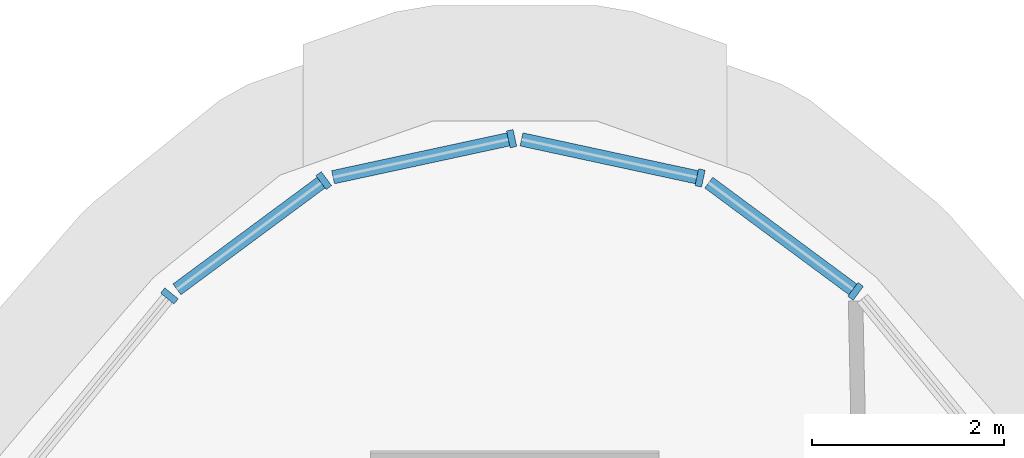
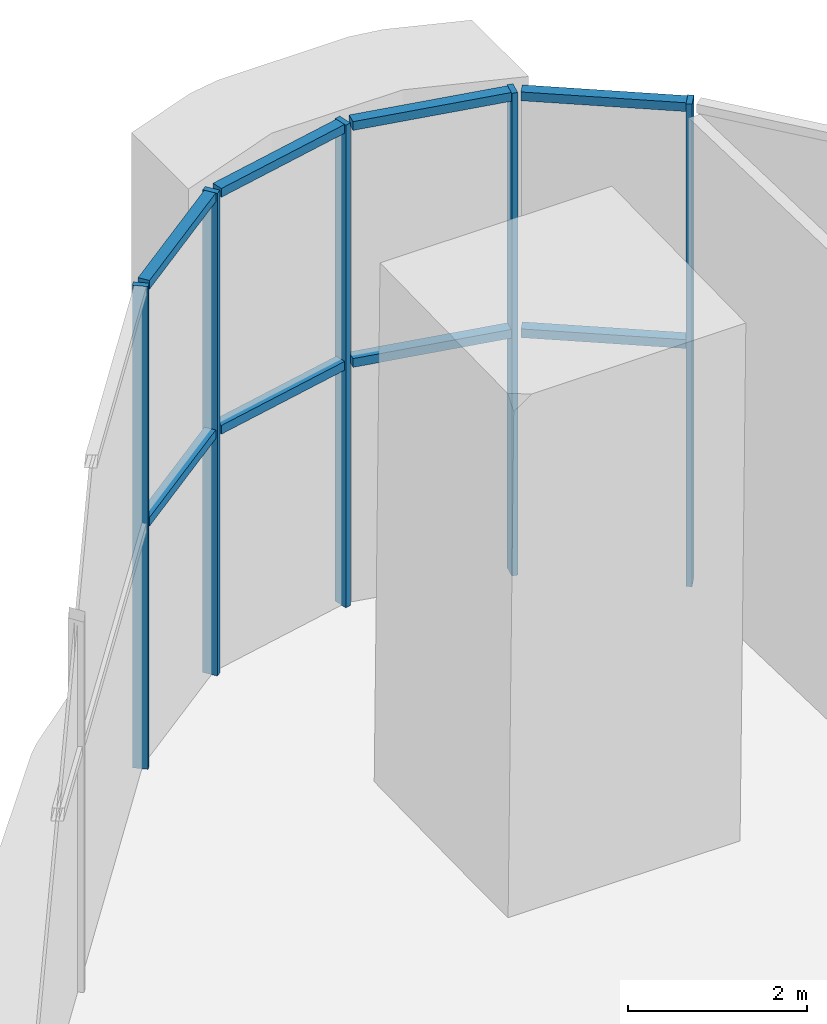
# One storey, part 10 of 23: 13 members, 5 elements without a shape of their own.
"""IFC4 building model written with IfcOpenShell, lengths in metres."""

from ifc_helpers import new_model, si_unit, direction, frame, origin, origin_2d, place, context, subcontext, project, spatial, rectangle, extrude, material, layer, layer_set, material_profile, profile_set, type_object, element, aggregate, save


model = new_model("IFC4")

# Units and contexts
model_context = context("Model", 3, precision=1e-05, world=origin(), true_north=direction((0.0, 1.0)))
body_context = subcontext(model_context, "Body", "Model", "MODEL_VIEW")
ifc_project = project(units=[si_unit("LENGTHUNIT", "METRE"), si_unit("AREAUNIT", "SQUARE_METRE"), si_unit("VOLUMEUNIT", "CUBIC_METRE"), si_unit("PLANEANGLEUNIT", "RADIAN"), si_unit("MASSUNIT", "GRAM", prefix="KILO")], contexts=[model_context])

# Site, building, storey
site_placement = place(None, origin())
site = spatial("IfcSite", under=ifc_project, at=site_placement, CompositionType="ELEMENT")
building_placement = place(site_placement, origin())
building = spatial("IfcBuilding", under=site, at=building_placement, Name="Sierra Prisma Convention Tower", CompositionType="ELEMENT")
storey_placement = place(building_placement, frame((0.0, 0.0, 40.800048828125)))
storey = spatial("IfcBuildingStorey", under=building, at=storey_placement, Name="L06", CompositionType="ELEMENT", Elevation=40.800048828125)

# Curtain wall, member
ifc_material_1 = material(Name="Aluminium and glass curtain wall", Category="aluminium")
ifc_layer = layer(ifc_material_1, 0.179931640625)
ifc_layer_set = layer_set([ifc_layer], Name="CW-4 Sky lobby double-height curtain wall")
curtain_wall_type = type_object("IfcCurtainWallType", Name="CW-4 Sky lobby double-height curtain wall", PredefinedType="NOTDEFINED", material=ifc_layer_set)
curtain_wall_1_placement = place(storey_placement, origin())
curtain_wall_1 = element("IfcCurtainWall", 1, at=curtain_wall_1_placement, inside=storey, type_object=curtain_wall_type, Name="CW-4 N1 L06", PredefinedType="NOTDEFINED")
ifc_material_2 = material(Name="Aluminium 6063-T6 bronze anodised", Category="aluminium")
ifc_material_profile_1 = material_profile(ifc_material_2, rectangle(XDim=0.179931640625, YDim=0.070068359375, at=origin_2d()), Name="ALU MULLION 70x180")
ifc_profile_set_1 = profile_set([ifc_material_profile_1], Name="Aluminium 6063-T6 bronze anodised")
member_type_1 = type_object("IfcMemberType", Name="CW mullion bronze", PredefinedType="MULLION", material=ifc_profile_set_1)
member_1_placement = place(storey_placement, frame((3.540283203125, 34.742919921875, 0.0), z_axis=(0.0, 0.0, 1.0), x_axis=(-0.595163575476, -0.803604578401, 0.0)))
member_1 = element("IfcMember", 2, at=member_1_placement, type_object=member_type_1, Name="CW-4 mullion N1.1", PredefinedType="MULLION", context=body_context, shape_type="SweptSolid", body=[
    extrude(rectangle(XDim=0.179931640625, YDim=0.070068359375, at=origin_2d()), origin(), (0.0, 0.0, 1.0), 6.599853515625),
])

curtain_wall_2_placement = place(storey_placement, origin())
curtain_wall_2 = element("IfcCurtainWall", 3, at=curtain_wall_2_placement, inside=storey, type_object=curtain_wall_type, Name="CW-4 N2 L06", PredefinedType="NOTDEFINED")
member_2_placement = place(storey_placement, frame((1.92431640625, 35.921875, 0.0), z_axis=(0.0, 0.0, 1.0), x_axis=(-0.210894282696, -0.977508875421, 0.0)))
member_2 = element("IfcMember", 4, at=member_2_placement, type_object=member_type_1, Name="CW-4 mullion N2.1", PredefinedType="MULLION", context=body_context, shape_type="SweptSolid", body=[
    extrude(rectangle(XDim=0.179931640625, YDim=0.070068359375, at=origin_2d()), origin(), (0.0, 0.0, 1.0), 6.599853515625),
])

curtain_wall_3_placement = place(storey_placement, origin())
curtain_wall_3 = element("IfcCurtainWall", 5, at=curtain_wall_3_placement, inside=storey, type_object=curtain_wall_type, Name="CW-4 N3 L06", PredefinedType="NOTDEFINED")
member_3_placement = place(storey_placement, frame((-0.0341796875, 36.32958984375, 0.0), z_axis=(0.0, 0.0, 1.0), x_axis=(0.210894282696, -0.977508875421, 0.0)))
member_3 = element("IfcMember", 6, at=member_3_placement, type_object=member_type_1, Name="CW-4 mullion N3.1", PredefinedType="MULLION", context=body_context, shape_type="SweptSolid", body=[
    extrude(rectangle(XDim=0.179931640625, YDim=0.070068359375, at=origin_2d()), origin(), (0.0, 0.0, 1.0), 6.599853515625),
])

curtain_wall_4_placement = place(storey_placement, origin())
curtain_wall_4 = element("IfcCurtainWall", 7, at=curtain_wall_4_placement, inside=storey, type_object=curtain_wall_type, Name="CW-4 N4 L06", PredefinedType="NOTDEFINED")
member_4_placement = place(storey_placement, frame((-1.986572265625, 35.8935546875, 0.0), z_axis=(0.0, 0.0, 1.0), x_axis=(0.595163575476, -0.803604578401, 0.0)))
member_4 = element("IfcMember", 8, at=member_4_placement, type_object=member_type_1, Name="CW-4 mullion N4.1", PredefinedType="MULLION", context=body_context, shape_type="SweptSolid", body=[
    extrude(rectangle(XDim=0.179931640625, YDim=0.070068359375, at=origin_2d()), origin(), (0.0, 0.0, 1.0), 6.599853515625),
])

curtain_wall_5_placement = place(storey_placement, origin())
curtain_wall_5 = element("IfcCurtainWall", 9, at=curtain_wall_5_placement, inside=storey, type_object=curtain_wall_type, Name="CW-4 NW1 L06", PredefinedType="NOTDEFINED")
member_5_placement = place(storey_placement, frame((-3.590576171875, 34.695068359375, 0.0), z_axis=(0.0, 0.0, 1.0), x_axis=(0.773259675844, -0.634089483996, 0.0)))
member_5 = element("IfcMember", 10, at=member_5_placement, type_object=member_type_1, Name="CW-4 mullion NW1.1", PredefinedType="MULLION", context=body_context, shape_type="SweptSolid", body=[
    extrude(rectangle(XDim=0.179931640625, YDim=0.070068359375, at=origin_2d()), origin(), (0.0, 0.0, 1.0), 6.599853515625),
])
aggregate(curtain_wall_5, [member_5])

# Member
ifc_material_3 = material(Name="Aluminium 6063-T6 bronze anodised", Category="aluminium")
ifc_material_profile_2 = material_profile(ifc_material_3, rectangle(XDim=0.139892578125, YDim=0.1201171875, at=origin_2d()), Name="ALU TRANSOM 120x140")
ifc_profile_set_2 = profile_set([ifc_material_profile_2], Name="Aluminium 6063-T6 bronze anodised")
member_type_2 = type_object("IfcMemberType", Name="CW transom bronze", PredefinedType="USERDEFINED", material=ifc_profile_set_2)
member_6_placement = place(storey_placement, frame((3.51220703125, 34.763671875, 6.5400390625), z_axis=(-0.803601285851, 0.595168021132, 0.0), x_axis=(-0.595168021132, -0.803601285851, 0.0)))
member_6 = element("IfcMember", 11, at=member_6_placement, type_object=member_type_2, Name="CW-4 transom N1.1", ObjectType="TRANSOM", PredefinedType="USERDEFINED", context=body_context, shape_type="SweptSolid", body=[
    extrude(rectangle(XDim=0.139892578125, YDim=0.1201171875, at=origin_2d()), origin(), (0.0, 0.0, 1.0), 1.863525390625),
])

member_7_placement = place(storey_placement, frame((3.51220703125, 34.763671875, 3.300048828125), z_axis=(-0.803601285851, 0.595168021132, 0.0), x_axis=(-0.595168021132, -0.803601285851, 0.0)))
member_7 = element("IfcMember", 12, at=member_7_placement, type_object=member_type_2, Name="CW-4 transom N1.1 mid", ObjectType="TRANSOM", PredefinedType="USERDEFINED", context=body_context, shape_type="SweptSolid", body=[
    extrude(rectangle(XDim=0.139892578125, YDim=0.1201171875, at=origin_2d()), origin(), (0.0, 0.0, 1.0), 1.863525390625),
])

aggregate(curtain_wall_1, [member_1, member_6, member_7])

member_8_placement = place(storey_placement, frame((1.889892578125, 35.92919921875, 6.5400390625), z_axis=(-0.977500390868, 0.210933605321, 0.0), x_axis=(-0.210933605321, -0.977500390868, 0.0)))
member_8 = element("IfcMember", 13, at=member_8_placement, type_object=member_type_2, Name="CW-4 transom N2.1", ObjectType="TRANSOM", PredefinedType="USERDEFINED", context=body_context, shape_type="SweptSolid", body=[
    extrude(rectangle(XDim=0.139892578125, YDim=0.1201171875, at=origin_2d()), origin(), (0.0, 0.0, 1.0), 1.863525390625),
])

member_9_placement = place(storey_placement, frame((1.889892578125, 35.92919921875, 3.300048828125), z_axis=(-0.977500390868, 0.210933605321, 0.0), x_axis=(-0.210933605321, -0.977500390868, 0.0)))
member_9 = element("IfcMember", 14, at=member_9_placement, type_object=member_type_2, Name="CW-4 transom N2.1 mid", ObjectType="TRANSOM", PredefinedType="USERDEFINED", context=body_context, shape_type="SweptSolid", body=[
    extrude(rectangle(XDim=0.139892578125, YDim=0.1201171875, at=origin_2d()), origin(), (0.0, 0.0, 1.0), 1.863525390625),
])

aggregate(curtain_wall_2, [member_2, member_8, member_9])

member_10_placement = place(storey_placement, frame((-0.068359375, 36.322265625, 6.5400390625), z_axis=(-0.977500390868, -0.210933605321, 0.0), x_axis=(0.210933605321, -0.977500390868, 0.0)))
member_10 = element("IfcMember", 15, at=member_10_placement, type_object=member_type_2, Name="CW-4 transom N3.1", ObjectType="TRANSOM", PredefinedType="USERDEFINED", context=body_context, shape_type="SweptSolid", body=[
    extrude(rectangle(XDim=0.139892578125, YDim=0.1201171875, at=origin_2d()), origin(), (0.0, 0.0, 1.0), 1.863525390625),
])

member_11_placement = place(storey_placement, frame((-0.068359375, 36.322265625, 3.300048828125), z_axis=(-0.977500390868, -0.210933605321, 0.0), x_axis=(0.210933605321, -0.977500390868, 0.0)))
member_11 = element("IfcMember", 16, at=member_11_placement, type_object=member_type_2, Name="CW-4 transom N3.1 mid", ObjectType="TRANSOM", PredefinedType="USERDEFINED", context=body_context, shape_type="SweptSolid", body=[
    extrude(rectangle(XDim=0.139892578125, YDim=0.1201171875, at=origin_2d()), origin(), (0.0, 0.0, 1.0), 1.863525390625),
])

aggregate(curtain_wall_3, [member_3, member_10, member_11])

member_12_placement = place(storey_placement, frame((-2.0146484375, 35.872802734375, 6.5400390625), z_axis=(-0.803601285851, -0.595168021132, 0.0), x_axis=(0.595168021132, -0.803601285851, 0.0)))
member_12 = element("IfcMember", 17, at=member_12_placement, type_object=member_type_2, Name="CW-4 transom N4.1", ObjectType="TRANSOM", PredefinedType="USERDEFINED", context=body_context, shape_type="SweptSolid", body=[
    extrude(rectangle(XDim=0.139892578125, YDim=0.1201171875, at=origin_2d()), origin(), (0.0, 0.0, 1.0), 1.863525390625),
])

member_13_placement = place(storey_placement, frame((-2.0146484375, 35.872802734375, 3.300048828125), z_axis=(-0.803601285851, -0.595168021132, 0.0), x_axis=(0.595168021132, -0.803601285851, 0.0)))
member_13 = element("IfcMember", 18, at=member_13_placement, type_object=member_type_2, Name="CW-4 transom N4.1 mid", ObjectType="TRANSOM", PredefinedType="USERDEFINED", context=body_context, shape_type="SweptSolid", body=[
    extrude(rectangle(XDim=0.139892578125, YDim=0.1201171875, at=origin_2d()), origin(), (0.0, 0.0, 1.0), 1.863525390625),
])

aggregate(curtain_wall_4, [member_4, member_12, member_13])

save(model, "model.ifc")
